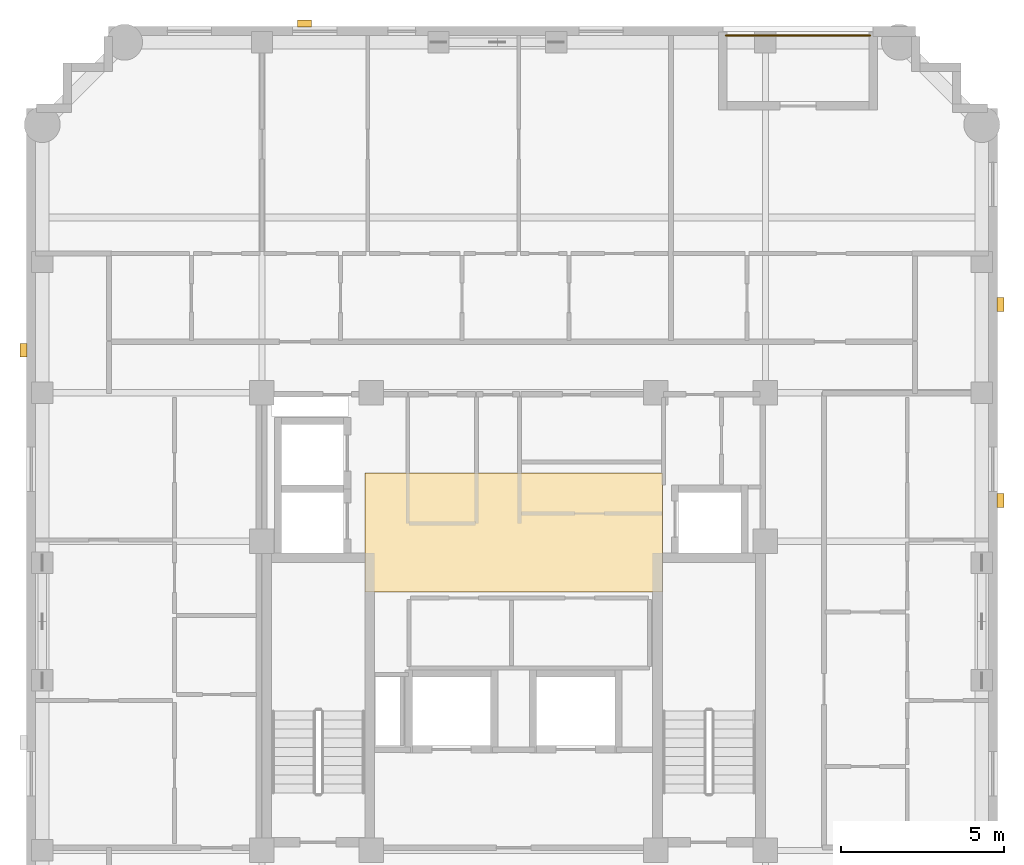
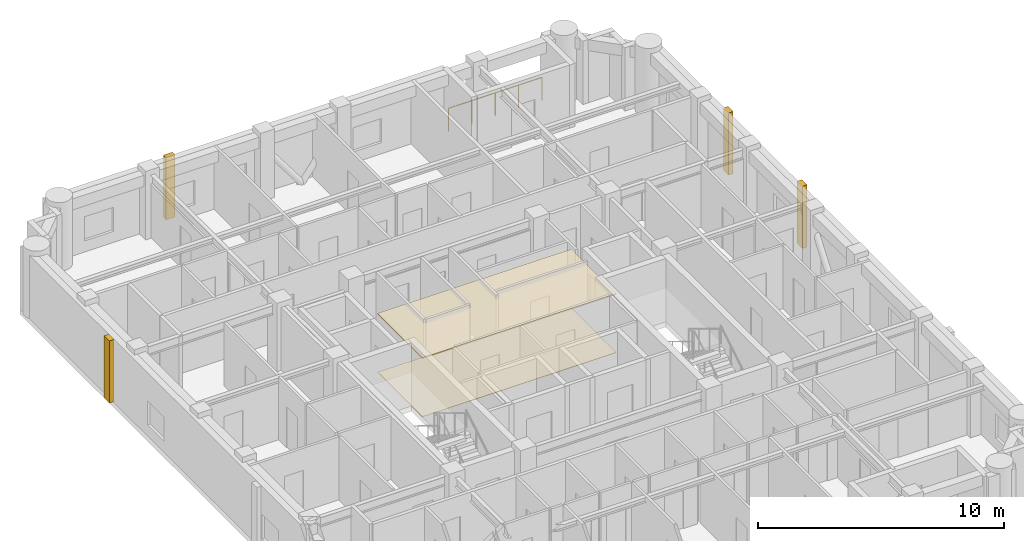
# One storey, part 11 of 11: 6 coverings, 1 railing.
"""IFC4 building model written with IfcOpenShell, lengths in metres."""

import ifcopenshell
import ifcopenshell.guid

model = None  # the IFC model being written
_history = None  # IfcOwnerHistory: only IFC2X3 demands one
_inside = {}  # id of a spatial element -> (the spatial element, [elements in it])
_under = {}  # id of a project, library or spatial element -> (it, [spatial elements below it])
_declared = {}  # id of a project -> (the project, [libraries it declares])
_typed = {}  # id of a type object -> (the type object, [elements of that type])
_made_of = {}  # id of a material, layer set ... -> (it, [elements and type objects made of it])


def new_model(schema):
    """Start an empty IFC model of exactly this schema.

    Asked for "IFC4X3", IfcOpenShell would pick the latest addendum, in which some entities
    have other attributes; the version numbers below select the first issue.
    IFC2X3 requires an IfcOwnerHistory on every rooted entity: one is made here for all.
    """
    global model, _history
    if schema == "IFC4X3":
        model = ifcopenshell.file(schema_version=(4, 3, 0, 0))
    else:
        model = ifcopenshell.file(schema=schema)
    _inside.clear()
    _under.clear()
    _declared.clear()
    _typed.clear()
    _made_of.clear()
    _history = None
    if model.schema == "IFC2X3":
        org = make("IfcOrganization", Name="unknown")
        user = make(
            "IfcPersonAndOrganization",
            ThePerson=make("IfcPerson", FamilyName="unknown"),
            TheOrganization=org,
        )
        app = make(
            "IfcApplication",
            ApplicationDeveloper=org,
            Version="unknown",
            ApplicationFullName="unknown",
            ApplicationIdentifier="unknown",
        )
        _history = make(
            "IfcOwnerHistory",
            OwningUser=user,
            OwningApplication=app,
            ChangeAction="ADDED",
            CreationDate=0,
        )
    return model


def make(cls, **values):
    """One entity of the class cls with the attributes given. An attribute that is None is left unset."""
    return model.create_entity(
        cls, **{name: value for name, value in values.items() if value is not None}
    )


def rooted(cls, **values):
    """An entity with a GlobalId (a new one), such as an element, a storey or a relation."""
    return make(cls, GlobalId=ifcopenshell.guid.new(), OwnerHistory=_history, **values)


def si_unit(unit_type, name, prefix=None):
    """IfcSIUnit, for example si_unit("LENGTHUNIT", "METRE", prefix="MILLI")."""
    return make("IfcSIUnit", UnitType=unit_type, Prefix=prefix, Name=name)


def derived_unit(unit_type, elements):
    """IfcDerivedUnit: a product of units, each with its exponent."""
    return make(
        "IfcDerivedUnit",
        Elements=[
            make("IfcDerivedUnitElement", Unit=unit, Exponent=power)
            for unit, power in elements
        ],
        UnitType=unit_type,
    )


def assignment(units):
    """IfcUnitAssignment: the units of a project."""
    return None if units is None else make("IfcUnitAssignment", Units=units)


def point(xyz):
    """IfcCartesianPoint."""
    return None if xyz is None else make("IfcCartesianPoint", Coordinates=xyz)


def direction(xyz):
    """IfcDirection."""
    return None if xyz is None else make("IfcDirection", DirectionRatios=xyz)


def frame(location, z_axis=None, x_axis=None):
    """IfcAxis2Placement3D, a coordinate frame: its origin and axes. An axis left out is left unset."""
    return make(
        "IfcAxis2Placement3D",
        Location=point(location),
        Axis=direction(z_axis),
        RefDirection=direction(x_axis),
    )


def frame_2d(location, x_axis=None):
    """IfcAxis2Placement2D, a coordinate frame in the plane: its origin and x axis."""
    return make(
        "IfcAxis2Placement2D", Location=point(location), RefDirection=direction(x_axis)
    )


def origin():
    """The frame at (0, 0, 0) with its axes left unset."""
    return frame((0.0, 0.0, 0.0))


def origin_2d():
    """The frame at (0, 0) in the plane with its x axis left unset."""
    return frame_2d((0.0, 0.0))


def place(relative_to, where):
    """IfcLocalPlacement: puts the frame where relative to a parent placement (None: the world)."""
    return make(
        "IfcLocalPlacement", PlacementRelTo=relative_to, RelativePlacement=where
    )


def context(
    kind, dimensions, precision=None, world=None, true_north=None, identifier=None
):
    """IfcGeometricRepresentationContext, for example the 3D "Model" context."""
    return make(
        "IfcGeometricRepresentationContext",
        ContextIdentifier=identifier,
        ContextType=kind,
        CoordinateSpaceDimension=dimensions,
        Precision=precision,
        WorldCoordinateSystem=world,
        TrueNorth=true_north,
    )


def subcontext(parent, identifier, kind, view, scale=None):
    """IfcGeometricRepresentationSubContext, for example "Body" below "Model"."""
    return make(
        "IfcGeometricRepresentationSubContext",
        ContextIdentifier=identifier,
        ContextType=kind,
        ParentContext=parent,
        TargetScale=scale,
        TargetView=view,
    )


def project(units=None, contexts=None):
    """IfcProject with its units and contexts."""
    return rooted(
        "IfcProject",
        Name="project",
        RepresentationContexts=contexts,
        UnitsInContext=assignment(units),
    )


def spatial(cls, under=None, at=None, **own):
    """A site, building, storey or space (cls), placed at a placement, below another one or the project."""
    s = rooted(cls, ObjectPlacement=at, **own)
    if under is not None:
        _under.setdefault(under.id(), (under, []))[1].append(s)
    return s


def polyline(points):
    """IfcPolyline through the points."""
    return make("IfcPolyline", Points=[point(p) for p in points])


def profile(cls, at=None, kind="AREA", **sizes):
    """A parametric profile (cls). Its sizes go by their IFC names, for example OverallWidth=200.0."""
    return make(cls, ProfileType=kind, Position=at, **sizes)


def rectangle(**sizes):
    """IfcRectangleProfileDef."""
    return profile("IfcRectangleProfileDef", **sizes)


def circle(**sizes):
    """IfcCircleProfileDef."""
    return profile("IfcCircleProfileDef", **sizes)


def outline(outer, holes=None, kind="AREA"):
    """IfcArbitraryClosedProfileDef: a profile drawn as a closed curve; with holes, ...WithVoids."""
    if holes is None:
        return make("IfcArbitraryClosedProfileDef", ProfileType=kind, OuterCurve=outer)
    return make(
        "IfcArbitraryProfileDefWithVoids",
        ProfileType=kind,
        OuterCurve=outer,
        InnerCurves=holes,
    )


def extrude(swept, where, along, depth):
    """IfcExtrudedAreaSolid: the profile swept, set in the frame where, extruded along a direction by depth."""
    return make(
        "IfcExtrudedAreaSolid",
        SweptArea=swept,
        Position=where,
        ExtrudedDirection=direction(along),
        Depth=depth,
    )


def shape(context_of_items, identifier, shape_type, items):
    """IfcShapeRepresentation: the items that make up one representation, for example the "Body"."""
    return make(
        "IfcShapeRepresentation",
        ContextOfItems=context_of_items,
        RepresentationIdentifier=identifier,
        RepresentationType=shape_type,
        Items=items,
    )


def material(Name=None, Category=None):
    """IfcMaterial."""
    return make("IfcMaterial", Name=Name, Category=Category)


def layer(
    of_material, thickness, ventilated=None, Name=None, Category=None, Priority=None
):
    """IfcMaterialLayer: one layer of a wall or slab, of a material (None: an air gap)."""
    return make(
        "IfcMaterialLayer",
        Material=of_material,
        LayerThickness=thickness,
        IsVentilated=ventilated,
        Name=Name,
        Category=Category,
        Priority=Priority,
    )


def layer_set(layers, Name=None):
    """IfcMaterialLayerSet."""
    return make("IfcMaterialLayerSet", MaterialLayers=layers, LayerSetName=Name)


def made_of(thing, what):
    """Note that an element or type object is made of a material, layer set ...; save() writes the relation."""
    if what is not None:
        _made_of.setdefault(what.id(), (what, []))[1].append(thing)
    return thing


def type_object(cls, material=None, **own):
    """A type object (cls), such as IfcWallType, which elements share."""
    return made_of(rooted(cls, **own), material)


def element(
    cls,
    number,
    at=None,
    inside=None,
    cuts=None,
    type_object=None,
    material=None,
    context=None,
    identifier="Body",
    shape_type=None,
    held_by="IfcProductDefinitionShape",
    body=None,
    shapes=None,
    **own,
):
    """One element of the class cls, such as IfcWall. Its Tag is "e" and its number.

    at: its placement. inside: the storey or other place that contains it. cuts: it is an
    opening in that element (IfcRelVoidsElement). A single representation is given by context,
    identifier, shape_type and body (its items); several are given by shapes. held_by: the class
    of the entity that holds the representations. save() writes the other relations.
    """
    e = rooted(cls, Tag="e%d" % number, ObjectPlacement=at, **own)
    if body is not None:
        shapes = [shape(context, identifier, shape_type, body)]
    if shapes is not None:
        e.Representation = make(held_by, Representations=shapes)
    if inside is not None:
        _inside.setdefault(inside.id(), (inside, []))[1].append(e)
    if cuts is not None:
        rooted(
            "IfcRelVoidsElement", RelatingBuildingElement=cuts, RelatedOpeningElement=e
        )
    if type_object is not None:
        _typed.setdefault(type_object.id(), (type_object, []))[1].append(e)
    return made_of(e, material)


def aggregate(whole, parts):
    """IfcRelAggregates: a whole, such as a stair, and the parts it consists of."""
    return rooted("IfcRelAggregates", RelatingObject=whole, RelatedObjects=parts)


def save(model, path):
    """Write the relations noted so far, then the file.

    IfcRelAggregates (storeys below a building ...), IfcRelContainedInSpatialStructure (elements
    in a storey), IfcRelDefinesByType, IfcRelAssociatesMaterial and IfcRelDeclares: one each for
    every whole, place, type object, material and project.
    """
    for whole, parts in _under.values():
        aggregate(whole, parts)
    for where, things in _inside.values():
        rooted(
            "IfcRelContainedInSpatialStructure",
            RelatedElements=things,
            RelatingStructure=where,
        )
    for kind, things in _typed.values():
        rooted("IfcRelDefinesByType", RelatedObjects=things, RelatingType=kind)
    for what, things in _made_of.values():
        rooted("IfcRelAssociatesMaterial", RelatedObjects=things, RelatingMaterial=what)
    for by, libraries in _declared.values():
        rooted("IfcRelDeclares", RelatingContext=by, RelatedDefinitions=libraries)
    model.write(path)


model = new_model("IFC4")

# Units and contexts
model_context = context("Model", 3, precision=1e-05, world=origin(), true_north=direction((0.0, 1.0)))
body_context = subcontext(model_context, "Body", "Model", "MODEL_VIEW")
ifc_project = project(units=[si_unit("LENGTHUNIT", "METRE"), si_unit("AREAUNIT", "SQUARE_METRE"), si_unit("VOLUMEUNIT", "CUBIC_METRE"), si_unit("PLANEANGLEUNIT", "RADIAN"), si_unit("MASSUNIT", "GRAM", prefix="KILO"), derived_unit("THERMALTRANSMITTANCEUNIT", [(si_unit("MASSUNIT", "GRAM", prefix="KILO"), 1), (si_unit("TIMEUNIT", "SECOND"), -3), (si_unit("THERMODYNAMICTEMPERATUREUNIT", "KELVIN"), -1)])], contexts=[model_context])

# Site, building, storey
site_placement = place(None, origin())
site = spatial("IfcSite", under=ifc_project, at=site_placement, CompositionType="ELEMENT")
building_placement = place(site_placement, origin())
building = spatial("IfcBuilding", under=site, at=building_placement, Name="Korrvale Station Residences", CompositionType="ELEMENT")
storey_placement = place(building_placement, frame((0.0, 0.0, 230.89990234375)))
storey = spatial("IfcBuildingStorey", under=building, at=storey_placement, Name="L67", CompositionType="ELEMENT", Elevation=230.89990234375)

# Coverings
ifc_material_1 = material(Name="Perforated acoustic mineral-fibre suspended ceiling", Category="gypsum")
ifc_layer_1 = layer(ifc_material_1, 0.050048828125, Name="Perforated acoustic mineral-fibre suspended ceiling")
ifc_layer_set_1 = layer_set([ifc_layer_1], Name="Perforated acoustic mineral-fibre suspended ceiling")
covering_type_1 = type_object("IfcCoveringType", Name="COV-CLG-AC60", PredefinedType="CEILING", material=ifc_layer_set_1)
covering_1_placement = place(storey_placement, frame((0.0, 0.0, 2.89013671875)))
element("IfcCovering", 1, at=covering_1_placement, inside=storey, type_object=covering_type_1, Name="L67 Elevator Lobby Acoustic Ceiling", PredefinedType="CEILING", context=body_context, shape_type="SweptSolid", body=[
    extrude(outline(polyline([(20.949951171875, 22.89990234375), (30.050048828125, 22.89990234375), (30.050048828125, 26.550048828125), (20.949951171875, 26.550048828125), (20.949951171875, 22.89990234375)])), origin(), (0.0, 0.0, 1.0), 0.050048828125),
])
ifc_material_2 = material(Name="Polished quartz-terrazzo lobby flooring", Category="masonry")
ifc_layer_2 = layer(ifc_material_2, 0.02001953125, Name="Polished quartz-terrazzo lobby flooring")
ifc_layer_set_2 = layer_set([ifc_layer_2], Name="Polished quartz-terrazzo lobby flooring")
covering_type_2 = type_object("IfcCoveringType", Name="COV-FLR-TER20", PredefinedType="FLOORING", material=ifc_layer_set_2)
covering_2_placement = place(storey_placement, origin())
element("IfcCovering", 2, at=covering_2_placement, inside=storey, type_object=covering_type_2, Name="L67 Elevator Lobby Terrazzo Flooring", PredefinedType="FLOORING", context=body_context, shape_type="SweptSolid", body=[
    extrude(outline(polyline([(20.949951171875, 22.89990234375), (30.050048828125, 22.89990234375), (30.050048828125, 26.550048828125), (20.949951171875, 26.550048828125), (20.949951171875, 22.89990234375)])), origin(), (0.0, 0.0, 1.0), 0.02001953125),
])
ifc_material_3 = material(Name="Architectural precast concrete C45/55", Category="concrete")
ifc_layer_3 = layer(ifc_material_3, 0.219970703125, Name="Architectural precast concrete C45/55")
ifc_layer_set_3 = layer_set([ifc_layer_3], Name="Architectural precast concrete C45/55")
covering_type_3 = type_object("IfcCoveringType", Name="COV-PIER-400", PredefinedType="CLADDING", material=ifc_layer_set_3)
for number, where, z_axis, x_axis, name in (
    (3, (19.10009765625, 40.2900390625, 0.02490234375), (0.0, 0.0, 1.0), (1.0, 0.0, 0.0), "L67 Architectural Precast Facade Pier 01"),
    (4, (10.510009765625, 30.300048828125, 0.02490234375), (0.0, 0.0, 1.0), (0.0, 1.0, 0.0), "L67 Architectural Precast Facade Pier 04"),
    (5, (40.389892578125, 31.699951171875, 0.02490234375), (0.0, 0.0, 1.0), (0.0, 1.0, 0.0), "L67 Architectural Precast Facade Pier 05"),
    (6, (40.389892578125, 25.699951171875, 0.02490234375), (0.0, 0.0, 1.0), (0.0, 1.0, 0.0), "L67 Architectural Precast Facade Pier 06"),
):
    element("IfcCovering", number, at=place(storey_placement, frame(where, z_axis=z_axis, x_axis=x_axis)), inside=storey, type_object=covering_type_3, Name=name, PredefinedType="CLADDING", context=body_context, shape_type="SweptSolid", body=[
        extrude(rectangle(XDim=0.419921875, YDim=0.219970703125, at=origin_2d()), origin(), (0.0, 0.0, 1.0), 3.090087890625),
    ])

# Railing
ifc_material_4 = material(Name="Powder-coated aluminium picket loggia guard", Category="aluminium")
railing_type = type_object("IfcRailingType", Name="RLG-BAL-1150", PredefinedType="GUARDRAIL", material=ifc_material_4)
railing_placement = place(storey_placement, frame((32.0, 39.929931640625, 0.0)))
element("IfcRailing", 7, at=railing_placement, inside=storey, type_object=railing_type, Name="L67 Recessed Loggia Guardrail BAL-L67-N1", PredefinedType="GUARDRAIL", context=body_context, shape_type="SweptSolid", body=[
    extrude(circle(Radius=0.02392578125, at=origin_2d()), frame((0.0, 0.0, 1.1259765625), z_axis=(1.0, 0.0, 0.0), x_axis=(0.0, 1.0, 0.0)), (0.0, 0.0, 1.0), 4.39990234375),
    extrude(circle(Radius=0.02099609375, at=origin_2d()), origin(), (0.0, 0.0, 1.0), 1.101806640625),
    extrude(circle(Radius=0.02099609375, at=origin_2d()), frame((1.10009765625, 0.0, 0.0)), (0.0, 0.0, 1.0), 1.101806640625),
    extrude(circle(Radius=0.02099609375, at=origin_2d()), frame((2.199951171875, 0.0, 0.0)), (0.0, 0.0, 1.0), 1.101806640625),
    extrude(circle(Radius=0.02099609375, at=origin_2d()), frame((3.2998046875, 0.0, 0.0)), (0.0, 0.0, 1.0), 1.101806640625),
    extrude(circle(Radius=0.02099609375, at=origin_2d()), frame((4.39990234375, 0.0, 0.0)), (0.0, 0.0, 1.0), 1.101806640625),
])

save(model, "model.ifc")
